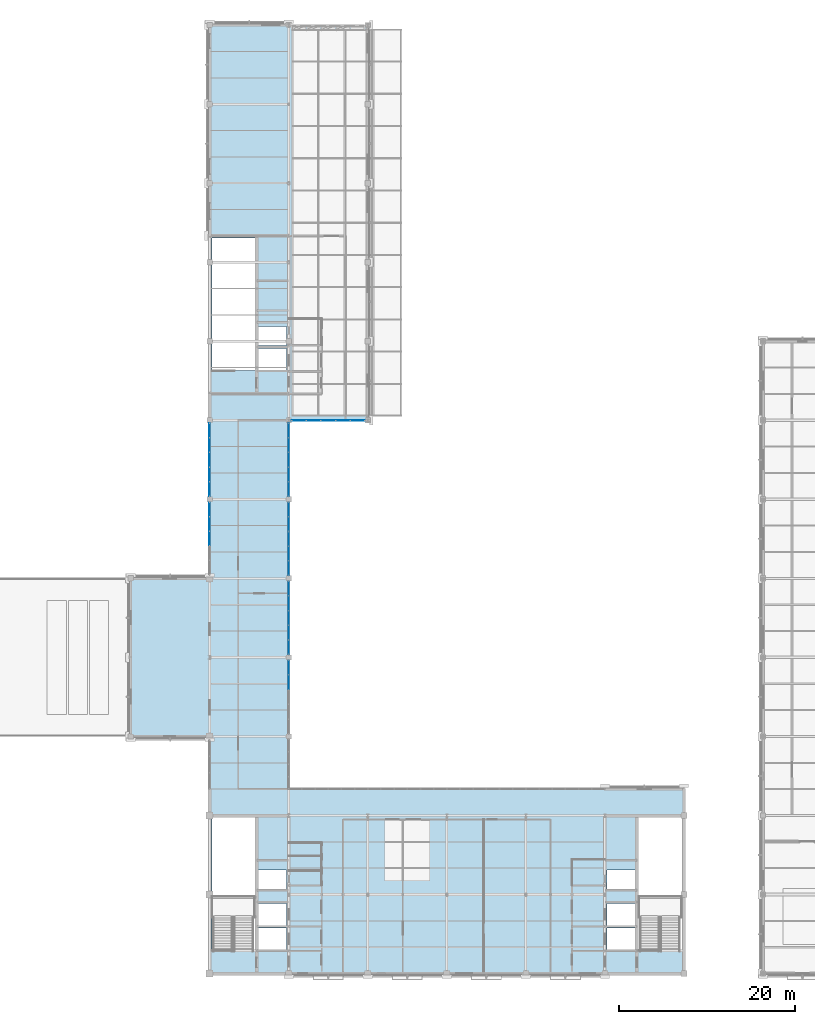
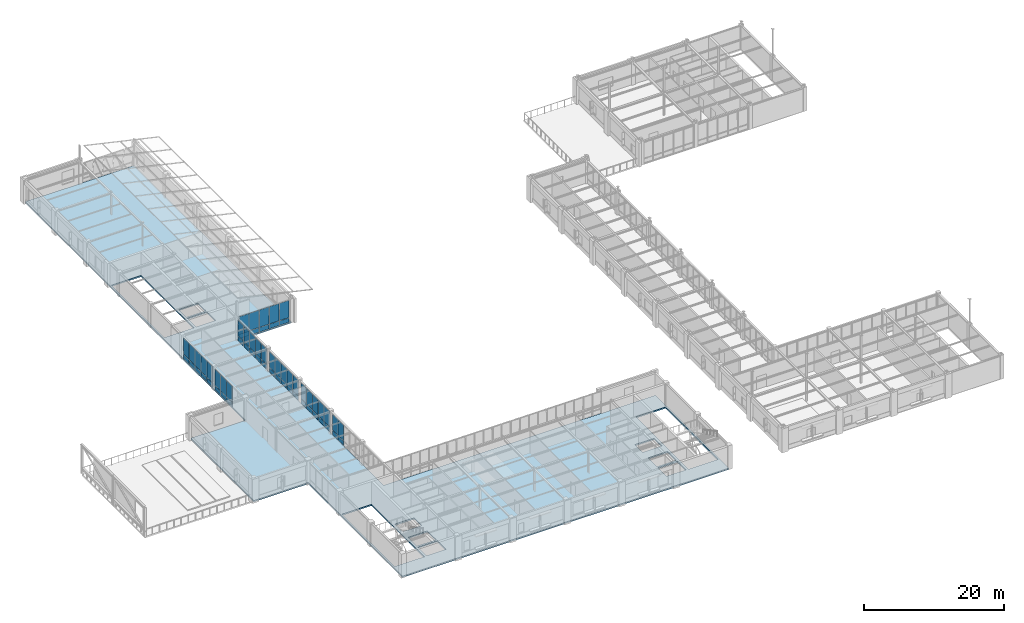
# One storey, part 73 of 97: 60 plates, 1 slab, 8 openings, 7 elements without a shape of their own.
"""IFC4 building model written with IfcOpenShell, lengths in metres."""

from ifc_helpers import new_model, si_unit, direction, frame, origin, origin_2d, place, context, subcontext, project, spatial, polyline, rectangle, outline, extrude, material, layer, layer_set, type_object, element, aggregate, save


model = new_model("IFC4")

# Units and contexts
model_context = context("Model", 3, precision=1e-05, world=origin(), true_north=direction((0.0, 1.0)))
body_context = subcontext(model_context, "Body", "Model", "MODEL_VIEW")
ifc_project = project(units=[si_unit("LENGTHUNIT", "METRE"), si_unit("AREAUNIT", "SQUARE_METRE"), si_unit("VOLUMEUNIT", "CUBIC_METRE"), si_unit("PLANEANGLEUNIT", "RADIAN"), si_unit("MASSUNIT", "GRAM", prefix="KILO")], contexts=[model_context])

# Site, building, storey
site_placement = place(None, origin())
site = spatial("IfcSite", under=ifc_project, at=site_placement, CompositionType="ELEMENT")
building_placement = place(site_placement, origin())
building = spatial("IfcBuilding", under=site, at=building_placement, Name="Lykobir Media Centre", CompositionType="ELEMENT")
storey_placement = place(building_placement, frame((0.0, 0.0, 23.39990234375)))
storey = spatial("IfcBuildingStorey", under=building, at=storey_placement, Name="L05", CompositionType="ELEMENT", Elevation=23.39990234375)

# Curtain wall, plates
ifc_material_1 = material(Name="Anodized Aluminium AW-6060", Category="aluminium")
curtain_wall_type = type_object("IfcCurtainWallType", Name="CW-COURT-B", PredefinedType="NOTDEFINED", material=ifc_material_1)
curtain_wall_1_placement = place(storey_placement, origin())
curtain_wall_1 = element("IfcCurtainWall", 1, at=curtain_wall_1_placement, inside=storey, type_object=curtain_wall_type, Name="Curtain wall CW2-L05-0195", PredefinedType="NOTDEFINED")
ifc_material_2 = material(Name="Low-E Laminated Triple Glazing", Category="glass")
ifc_layer_1 = layer(ifc_material_2, 0.0380859375, Name="Low-E Laminated Triple Glazing")
ifc_layer_set_1 = layer_set([ifc_layer_1], Name="Low-E Laminated Triple Glazing")
plate_type_1 = type_object("IfcPlateType", Name="CWP-GLZ-38", PredefinedType="CURTAIN_PANEL", material=ifc_layer_set_1)
plate_1_placement = place(storey_placement, frame((36.0, 34.84228515625, 0.877685546875), z_axis=(0.0, 0.0, 1.0), x_axis=(0.0, -1.0, 0.0)))
plate_1 = element("IfcPlate", 2, at=plate_1_placement, type_object=plate_type_1, Name="CW2-L05-0195 panel 1.2", PredefinedType="CURTAIN_PANEL", context=body_context, shape_type="SweptSolid", body=[
    extrude(rectangle(XDim=1.595458984375, YDim=0.0380859375, at=origin_2d()), origin(), (0.0, 0.0, 1.0), 2.742431640625),
])
plate_2_placement = place(storey_placement, frame((36.0, 33.177978515625, 0.877685546875), z_axis=(0.0, 0.0, 1.0), x_axis=(0.0, -1.0, 0.0)))
plate_2 = element("IfcPlate", 3, at=plate_2_placement, type_object=plate_type_1, Name="CW2-L05-0195 panel 2.2", PredefinedType="CURTAIN_PANEL", context=body_context, shape_type="SweptSolid", body=[
    extrude(rectangle(XDim=1.623046875, YDim=0.0380859375, at=origin_2d()), origin(), (0.0, 0.0, 1.0), 2.742431640625),
])

curtain_wall_2_placement = place(storey_placement, origin())
curtain_wall_2 = element("IfcCurtainWall", 4, at=curtain_wall_2_placement, inside=storey, type_object=curtain_wall_type, Name="Curtain wall CW2-L05-0196", PredefinedType="NOTDEFINED")
plate_3_placement = place(storey_placement, frame((36.0, 43.84228515625, 0.877685546875), z_axis=(0.0, 0.0, 1.0), x_axis=(0.0, -1.0, 0.0)))
plate_3 = element("IfcPlate", 5, at=plate_3_placement, type_object=plate_type_1, Name="CW2-L05-0196 panel 1.2", PredefinedType="CURTAIN_PANEL", context=body_context, shape_type="SweptSolid", body=[
    extrude(rectangle(XDim=1.595458984375, YDim=0.0380859375, at=origin_2d()), origin(), (0.0, 0.0, 1.0), 2.742431640625),
])
plate_4_placement = place(storey_placement, frame((36.0, 42.177978515625, 0.877685546875), z_axis=(0.0, 0.0, 1.0), x_axis=(0.0, -1.0, 0.0)))
plate_4 = element("IfcPlate", 6, at=plate_4_placement, type_object=plate_type_1, Name="CW2-L05-0196 panel 2.2", PredefinedType="CURTAIN_PANEL", context=body_context, shape_type="SweptSolid", body=[
    extrude(rectangle(XDim=1.623046875, YDim=0.0380859375, at=origin_2d()), origin(), (0.0, 0.0, 1.0), 2.742431640625),
])
plate_5_placement = place(storey_placement, frame((36.0, 40.5, 0.877685546875), z_axis=(0.0, 0.0, 1.0), x_axis=(0.0, -1.0, 0.0)))
plate_5 = element("IfcPlate", 7, at=plate_5_placement, type_object=plate_type_1, Name="CW2-L05-0196 panel 3.2", PredefinedType="CURTAIN_PANEL", context=body_context, shape_type="SweptSolid", body=[
    extrude(rectangle(XDim=1.623046875, YDim=0.0380859375, at=origin_2d()), origin(), (0.0, 0.0, 1.0), 2.742431640625),
])
plate_6_placement = place(storey_placement, frame((36.0, 38.822021484375, 0.877685546875), z_axis=(0.0, 0.0, 1.0), x_axis=(0.0, -1.0, 0.0)))
plate_6 = element("IfcPlate", 8, at=plate_6_placement, type_object=plate_type_1, Name="CW2-L05-0196 panel 4.2", PredefinedType="CURTAIN_PANEL", context=body_context, shape_type="SweptSolid", body=[
    extrude(rectangle(XDim=1.623046875, YDim=0.0380859375, at=origin_2d()), origin(), (0.0, 0.0, 1.0), 2.742431640625),
])
plate_7_placement = place(storey_placement, frame((36.0, 37.15771484375, 0.877685546875), z_axis=(0.0, 0.0, 1.0), x_axis=(0.0, -1.0, 0.0)))
plate_7 = element("IfcPlate", 9, at=plate_7_placement, type_object=plate_type_1, Name="CW2-L05-0196 panel 5.2", PredefinedType="CURTAIN_PANEL", context=body_context, shape_type="SweptSolid", body=[
    extrude(rectangle(XDim=1.595458984375, YDim=0.0380859375, at=origin_2d()), origin(), (0.0, 0.0, 1.0), 2.742431640625),
])

curtain_wall_3_placement = place(storey_placement, origin())
curtain_wall_3 = element("IfcCurtainWall", 10, at=curtain_wall_3_placement, inside=storey, type_object=curtain_wall_type, Name="Curtain wall CW2-L05-0197", PredefinedType="NOTDEFINED")
plate_8_placement = place(storey_placement, frame((36.0, 52.84228515625, 0.877685546875), z_axis=(0.0, 0.0, 1.0), x_axis=(0.0, -1.0, 0.0)))
plate_8 = element("IfcPlate", 11, at=plate_8_placement, type_object=plate_type_1, Name="CW2-L05-0197 panel 1.2", PredefinedType="CURTAIN_PANEL", context=body_context, shape_type="SweptSolid", body=[
    extrude(rectangle(XDim=1.595458984375, YDim=0.0380859375, at=origin_2d()), origin(), (0.0, 0.0, 1.0), 2.740478515625),
])
plate_9_placement = place(storey_placement, frame((36.0, 51.177978515625, 0.877685546875), z_axis=(0.0, 0.0, 1.0), x_axis=(0.0, -1.0, 0.0)))
plate_9 = element("IfcPlate", 12, at=plate_9_placement, type_object=plate_type_1, Name="CW2-L05-0197 panel 2.2", PredefinedType="CURTAIN_PANEL", context=body_context, shape_type="SweptSolid", body=[
    extrude(rectangle(XDim=1.623046875, YDim=0.0380859375, at=origin_2d()), origin(), (0.0, 0.0, 1.0), 2.740478515625),
])
plate_10_placement = place(storey_placement, frame((36.0, 49.5, 0.877685546875), z_axis=(0.0, 0.0, 1.0), x_axis=(0.0, -1.0, 0.0)))
plate_10 = element("IfcPlate", 13, at=plate_10_placement, type_object=plate_type_1, Name="CW2-L05-0197 panel 3.2", PredefinedType="CURTAIN_PANEL", context=body_context, shape_type="SweptSolid", body=[
    extrude(rectangle(XDim=1.623046875, YDim=0.0380859375, at=origin_2d()), origin(), (0.0, 0.0, 1.0), 2.740478515625),
])
plate_11_placement = place(storey_placement, frame((36.0, 47.822021484375, 0.877685546875), z_axis=(0.0, 0.0, 1.0), x_axis=(0.0, -1.0, 0.0)))
plate_11 = element("IfcPlate", 14, at=plate_11_placement, type_object=plate_type_1, Name="CW2-L05-0197 panel 4.2", PredefinedType="CURTAIN_PANEL", context=body_context, shape_type="SweptSolid", body=[
    extrude(rectangle(XDim=1.623046875, YDim=0.0380859375, at=origin_2d()), origin(), (0.0, 0.0, 1.0), 2.740478515625),
])
plate_12_placement = place(storey_placement, frame((36.0, 46.15771484375, 0.877685546875), z_axis=(0.0, 0.0, 1.0), x_axis=(0.0, -1.0, 0.0)))
plate_12 = element("IfcPlate", 15, at=plate_12_placement, type_object=plate_type_1, Name="CW2-L05-0197 panel 5.2", PredefinedType="CURTAIN_PANEL", context=body_context, shape_type="SweptSolid", body=[
    extrude(rectangle(XDim=1.595458984375, YDim=0.0380859375, at=origin_2d()), origin(), (0.0, 0.0, 1.0), 2.740478515625),
])

curtain_wall_4_placement = place(storey_placement, origin())
curtain_wall_4 = element("IfcCurtainWall", 16, at=curtain_wall_4_placement, inside=storey, type_object=curtain_wall_type, Name="Curtain wall CW2-L05-0198", PredefinedType="NOTDEFINED")
plate_13_placement = place(storey_placement, frame((36.0, 61.84228515625, 0.877685546875), z_axis=(0.0, 0.0, 1.0), x_axis=(0.0, -1.0, 0.0)))
plate_13 = element("IfcPlate", 17, at=plate_13_placement, type_object=plate_type_1, Name="CW2-L05-0198 panel 1.2", PredefinedType="CURTAIN_PANEL", context=body_context, shape_type="SweptSolid", body=[
    extrude(rectangle(XDim=1.595458984375, YDim=0.0380859375, at=origin_2d()), origin(), (0.0, 0.0, 1.0), 2.740478515625),
])
plate_14_placement = place(storey_placement, frame((36.0, 60.177978515625, 0.877685546875), z_axis=(0.0, 0.0, 1.0), x_axis=(0.0, -1.0, 0.0)))
plate_14 = element("IfcPlate", 18, at=plate_14_placement, type_object=plate_type_1, Name="CW2-L05-0198 panel 2.2", PredefinedType="CURTAIN_PANEL", context=body_context, shape_type="SweptSolid", body=[
    extrude(rectangle(XDim=1.623046875, YDim=0.0380859375, at=origin_2d()), origin(), (0.0, 0.0, 1.0), 2.740478515625),
])
plate_15_placement = place(storey_placement, frame((36.0, 58.5, 0.877685546875), z_axis=(0.0, 0.0, 1.0), x_axis=(0.0, -1.0, 0.0)))
plate_15 = element("IfcPlate", 19, at=plate_15_placement, type_object=plate_type_1, Name="CW2-L05-0198 panel 3.2", PredefinedType="CURTAIN_PANEL", context=body_context, shape_type="SweptSolid", body=[
    extrude(rectangle(XDim=1.623046875, YDim=0.0380859375, at=origin_2d()), origin(), (0.0, 0.0, 1.0), 2.740478515625),
])
plate_16_placement = place(storey_placement, frame((36.0, 56.822021484375, 0.877685546875), z_axis=(0.0, 0.0, 1.0), x_axis=(0.0, -1.0, 0.0)))
plate_16 = element("IfcPlate", 20, at=plate_16_placement, type_object=plate_type_1, Name="CW2-L05-0198 panel 4.2", PredefinedType="CURTAIN_PANEL", context=body_context, shape_type="SweptSolid", body=[
    extrude(rectangle(XDim=1.623046875, YDim=0.0380859375, at=origin_2d()), origin(), (0.0, 0.0, 1.0), 2.740478515625),
])
plate_17_placement = place(storey_placement, frame((36.0, 55.15771484375, 0.877685546875), z_axis=(0.0, 0.0, 1.0), x_axis=(0.0, -1.0, 0.0)))
plate_17 = element("IfcPlate", 21, at=plate_17_placement, type_object=plate_type_1, Name="CW2-L05-0198 panel 5.2", PredefinedType="CURTAIN_PANEL", context=body_context, shape_type="SweptSolid", body=[
    extrude(rectangle(XDim=1.595458984375, YDim=0.0380859375, at=origin_2d()), origin(), (0.0, 0.0, 1.0), 2.740478515625),
])

curtain_wall_5_placement = place(storey_placement, origin())
curtain_wall_5 = element("IfcCurtainWall", 22, at=curtain_wall_5_placement, inside=storey, type_object=curtain_wall_type, Name="Curtain wall CW2-L05-0199", PredefinedType="NOTDEFINED")
plate_18_placement = place(storey_placement, frame((43.84228515625, 63.0, 0.877685546875), z_axis=(0.0, 0.0, 1.0), x_axis=(-1.0, 0.0, 0.0)))
plate_18 = element("IfcPlate", 23, at=plate_18_placement, type_object=plate_type_1, Name="CW2-L05-0199 panel 1.2", PredefinedType="CURTAIN_PANEL", context=body_context, shape_type="SweptSolid", body=[
    extrude(rectangle(XDim=1.595458984375, YDim=0.0380859375, at=origin_2d()), origin(), (0.0, 0.0, 1.0), 3.007568359375),
])
plate_19_placement = place(storey_placement, frame((42.177978515625, 63.0, 0.877685546875), z_axis=(0.0, 0.0, 1.0), x_axis=(-1.0, 0.0, 0.0)))
plate_19 = element("IfcPlate", 24, at=plate_19_placement, type_object=plate_type_1, Name="CW2-L05-0199 panel 2.2", PredefinedType="CURTAIN_PANEL", context=body_context, shape_type="SweptSolid", body=[
    extrude(rectangle(XDim=1.623046875, YDim=0.0380859375, at=origin_2d()), origin(), (0.0, 0.0, 1.0), 3.007568359375),
])
plate_20_placement = place(storey_placement, frame((40.5, 63.0, 0.877685546875), z_axis=(0.0, 0.0, 1.0), x_axis=(-1.0, 0.0, 0.0)))
plate_20 = element("IfcPlate", 25, at=plate_20_placement, type_object=plate_type_1, Name="CW2-L05-0199 panel 3.2", PredefinedType="CURTAIN_PANEL", context=body_context, shape_type="SweptSolid", body=[
    extrude(rectangle(XDim=1.623046875, YDim=0.0380859375, at=origin_2d()), origin(), (0.0, 0.0, 1.0), 3.007568359375),
])
plate_21_placement = place(storey_placement, frame((38.822021484375, 63.0, 0.877685546875), z_axis=(0.0, 0.0, 1.0), x_axis=(-1.0, 0.0, 0.0)))
plate_21 = element("IfcPlate", 26, at=plate_21_placement, type_object=plate_type_1, Name="CW2-L05-0199 panel 4.2", PredefinedType="CURTAIN_PANEL", context=body_context, shape_type="SweptSolid", body=[
    extrude(rectangle(XDim=1.623046875, YDim=0.0380859375, at=origin_2d()), origin(), (0.0, 0.0, 1.0), 3.007568359375),
])
plate_22_placement = place(storey_placement, frame((37.15771484375, 63.0, 0.877685546875), z_axis=(0.0, 0.0, 1.0), x_axis=(-1.0, 0.0, 0.0)))
plate_22 = element("IfcPlate", 27, at=plate_22_placement, type_object=plate_type_1, Name="CW2-L05-0199 panel 5.2", PredefinedType="CURTAIN_PANEL", context=body_context, shape_type="SweptSolid", body=[
    extrude(rectangle(XDim=1.595458984375, YDim=0.0380859375, at=origin_2d()), origin(), (0.0, 0.0, 1.0), 3.007568359375),
])

curtain_wall_6_placement = place(storey_placement, origin())
curtain_wall_6 = element("IfcCurtainWall", 28, at=curtain_wall_6_placement, inside=storey, type_object=curtain_wall_type, Name="Curtain wall CW2-L05-0201", PredefinedType="NOTDEFINED")
plate_23_placement = place(storey_placement, frame((27.0, 49.550048828125, 0.877685546875), z_axis=(0.0, 0.0, 1.0), x_axis=(0.0, 1.0, 0.0)))
plate_23 = element("IfcPlate", 29, at=plate_23_placement, type_object=plate_type_1, Name="CW2-L05-0201 panel 3.2", PredefinedType="CURTAIN_PANEL", context=body_context, shape_type="SweptSolid", body=[
    extrude(rectangle(XDim=1.60302734375, YDim=0.0380859375, at=origin_2d()), origin(), (0.0, 0.0, 1.0), 2.780517578125),
])
plate_24_placement = place(storey_placement, frame((27.0, 51.2080078125, 0.877685546875), z_axis=(0.0, 0.0, 1.0), x_axis=(0.0, 1.0, 0.0)))
plate_24 = element("IfcPlate", 30, at=plate_24_placement, type_object=plate_type_1, Name="CW2-L05-0201 panel 4.2", PredefinedType="CURTAIN_PANEL", context=body_context, shape_type="SweptSolid", body=[
    extrude(rectangle(XDim=1.60302734375, YDim=0.0380859375, at=origin_2d()), origin(), (0.0, 0.0, 1.0), 2.780517578125),
])
plate_25_placement = place(storey_placement, frame((27.0, 52.852294921875, 0.877685546875), z_axis=(0.0, 0.0, 1.0), x_axis=(0.0, 1.0, 0.0)))
plate_25 = element("IfcPlate", 31, at=plate_25_placement, type_object=plate_type_1, Name="CW2-L05-0201 panel 5.2", PredefinedType="CURTAIN_PANEL", context=body_context, shape_type="SweptSolid", body=[
    extrude(rectangle(XDim=1.575439453125, YDim=0.0380859375, at=origin_2d()), origin(), (0.0, 0.0, 1.0), 2.780517578125),
])

curtain_wall_7_placement = place(storey_placement, origin())
curtain_wall_7 = element("IfcCurtainWall", 32, at=curtain_wall_7_placement, inside=storey, type_object=curtain_wall_type, Name="Curtain wall CW2-L05-0202", PredefinedType="NOTDEFINED")
plate_26_placement = place(storey_placement, frame((27.0, 55.15771484375, 0.877685546875), z_axis=(0.0, 0.0, 1.0), x_axis=(0.0, 1.0, 0.0)))
plate_26 = element("IfcPlate", 33, at=plate_26_placement, type_object=plate_type_1, Name="CW2-L05-0202 panel 1.2", PredefinedType="CURTAIN_PANEL", context=body_context, shape_type="SweptSolid", body=[
    extrude(rectangle(XDim=1.595458984375, YDim=0.0380859375, at=origin_2d()), origin(), (0.0, 0.0, 1.0), 2.780517578125),
])
plate_27_placement = place(storey_placement, frame((27.0, 56.822021484375, 0.877685546875), z_axis=(0.0, 0.0, 1.0), x_axis=(0.0, 1.0, 0.0)))
plate_27 = element("IfcPlate", 34, at=plate_27_placement, type_object=plate_type_1, Name="CW2-L05-0202 panel 2.2", PredefinedType="CURTAIN_PANEL", context=body_context, shape_type="SweptSolid", body=[
    extrude(rectangle(XDim=1.623046875, YDim=0.0380859375, at=origin_2d()), origin(), (0.0, 0.0, 1.0), 2.780517578125),
])
plate_28_placement = place(storey_placement, frame((27.0, 58.5, 0.877685546875), z_axis=(0.0, 0.0, 1.0), x_axis=(0.0, 1.0, 0.0)))
plate_28 = element("IfcPlate", 35, at=plate_28_placement, type_object=plate_type_1, Name="CW2-L05-0202 panel 3.2", PredefinedType="CURTAIN_PANEL", context=body_context, shape_type="SweptSolid", body=[
    extrude(rectangle(XDim=1.623046875, YDim=0.0380859375, at=origin_2d()), origin(), (0.0, 0.0, 1.0), 2.780517578125),
])
plate_29_placement = place(storey_placement, frame((27.0, 60.177978515625, 0.877685546875), z_axis=(0.0, 0.0, 1.0), x_axis=(0.0, 1.0, 0.0)))
plate_29 = element("IfcPlate", 36, at=plate_29_placement, type_object=plate_type_1, Name="CW2-L05-0202 panel 4.2", PredefinedType="CURTAIN_PANEL", context=body_context, shape_type="SweptSolid", body=[
    extrude(rectangle(XDim=1.623046875, YDim=0.0380859375, at=origin_2d()), origin(), (0.0, 0.0, 1.0), 2.780517578125),
])
plate_30_placement = place(storey_placement, frame((27.0, 61.84228515625, 0.877685546875), z_axis=(0.0, 0.0, 1.0), x_axis=(0.0, 1.0, 0.0)))
plate_30 = element("IfcPlate", 37, at=plate_30_placement, type_object=plate_type_1, Name="CW2-L05-0202 panel 5.2", PredefinedType="CURTAIN_PANEL", context=body_context, shape_type="SweptSolid", body=[
    extrude(rectangle(XDim=1.595458984375, YDim=0.0380859375, at=origin_2d()), origin(), (0.0, 0.0, 1.0), 2.780517578125),
])

# Plate
ifc_material_3 = material(Name="Pre-Weathered Titanium-Zinc", Category="metal")
ifc_layer_2 = layer(ifc_material_3, 0.052001953125, Name="Pre-Weathered Titanium-Zinc")
ifc_layer_set_2 = layer_set([ifc_layer_2], Name="Pre-Weathered Titanium-Zinc")
plate_type_2 = type_object("IfcPlateType", Name="CWP-SPN-52", PredefinedType="CURTAIN_PANEL", material=ifc_layer_set_2)
plate_31_placement = place(storey_placement, frame((36.0, 34.84228515625, 0.05517578125), z_axis=(0.0, 0.0, 1.0), x_axis=(0.0, -1.0, 0.0)))
plate_31 = element("IfcPlate", 38, at=plate_31_placement, type_object=plate_type_2, Name="CW2-L05-0195 panel 1.1", PredefinedType="CURTAIN_PANEL", context=body_context, shape_type="SweptSolid", body=[
    extrude(rectangle(XDim=1.595458984375, YDim=0.052001953125, at=origin_2d()), origin(), (0.0, 0.0, 1.0), 0.767578125),
])

plate_32_placement = place(storey_placement, frame((36.0, 33.177978515625, 0.05517578125), z_axis=(0.0, 0.0, 1.0), x_axis=(0.0, -1.0, 0.0)))
plate_32 = element("IfcPlate", 39, at=plate_32_placement, type_object=plate_type_2, Name="CW2-L05-0195 panel 2.1", PredefinedType="CURTAIN_PANEL", context=body_context, shape_type="SweptSolid", body=[
    extrude(rectangle(XDim=1.623046875, YDim=0.052001953125, at=origin_2d()), origin(), (0.0, 0.0, 1.0), 0.767578125),
])

aggregate(curtain_wall_1, [plate_31, plate_1, plate_32, plate_2])

plate_33_placement = place(storey_placement, frame((36.0, 43.84228515625, 0.05517578125), z_axis=(0.0, 0.0, 1.0), x_axis=(0.0, -1.0, 0.0)))
plate_33 = element("IfcPlate", 40, at=plate_33_placement, type_object=plate_type_2, Name="CW2-L05-0196 panel 1.1", PredefinedType="CURTAIN_PANEL", context=body_context, shape_type="SweptSolid", body=[
    extrude(rectangle(XDim=1.595458984375, YDim=0.052001953125, at=origin_2d()), origin(), (0.0, 0.0, 1.0), 0.767578125),
])

plate_34_placement = place(storey_placement, frame((36.0, 42.177978515625, 0.05517578125), z_axis=(0.0, 0.0, 1.0), x_axis=(0.0, -1.0, 0.0)))
plate_34 = element("IfcPlate", 41, at=plate_34_placement, type_object=plate_type_2, Name="CW2-L05-0196 panel 2.1", PredefinedType="CURTAIN_PANEL", context=body_context, shape_type="SweptSolid", body=[
    extrude(rectangle(XDim=1.623046875, YDim=0.052001953125, at=origin_2d()), origin(), (0.0, 0.0, 1.0), 0.767578125),
])

plate_35_placement = place(storey_placement, frame((36.0, 40.5, 0.05517578125), z_axis=(0.0, 0.0, 1.0), x_axis=(0.0, -1.0, 0.0)))
plate_35 = element("IfcPlate", 42, at=plate_35_placement, type_object=plate_type_2, Name="CW2-L05-0196 panel 3.1", PredefinedType="CURTAIN_PANEL", context=body_context, shape_type="SweptSolid", body=[
    extrude(rectangle(XDim=1.623046875, YDim=0.052001953125, at=origin_2d()), origin(), (0.0, 0.0, 1.0), 0.767578125),
])

plate_36_placement = place(storey_placement, frame((36.0, 38.822021484375, 0.05517578125), z_axis=(0.0, 0.0, 1.0), x_axis=(0.0, -1.0, 0.0)))
plate_36 = element("IfcPlate", 43, at=plate_36_placement, type_object=plate_type_2, Name="CW2-L05-0196 panel 4.1", PredefinedType="CURTAIN_PANEL", context=body_context, shape_type="SweptSolid", body=[
    extrude(rectangle(XDim=1.623046875, YDim=0.052001953125, at=origin_2d()), origin(), (0.0, 0.0, 1.0), 0.767578125),
])

plate_37_placement = place(storey_placement, frame((36.0, 37.15771484375, 0.05517578125), z_axis=(0.0, 0.0, 1.0), x_axis=(0.0, -1.0, 0.0)))
plate_37 = element("IfcPlate", 44, at=plate_37_placement, type_object=plate_type_2, Name="CW2-L05-0196 panel 5.1", PredefinedType="CURTAIN_PANEL", context=body_context, shape_type="SweptSolid", body=[
    extrude(rectangle(XDim=1.595458984375, YDim=0.052001953125, at=origin_2d()), origin(), (0.0, 0.0, 1.0), 0.767578125),
])

aggregate(curtain_wall_2, [plate_33, plate_3, plate_34, plate_4, plate_35, plate_5, plate_36, plate_6, plate_37, plate_7])

plate_38_placement = place(storey_placement, frame((36.0, 52.84228515625, 0.05517578125), z_axis=(0.0, 0.0, 1.0), x_axis=(0.0, -1.0, 0.0)))
plate_38 = element("IfcPlate", 45, at=plate_38_placement, type_object=plate_type_2, Name="CW2-L05-0197 panel 1.1", PredefinedType="CURTAIN_PANEL", context=body_context, shape_type="SweptSolid", body=[
    extrude(rectangle(XDim=1.595458984375, YDim=0.052001953125, at=origin_2d()), origin(), (0.0, 0.0, 1.0), 0.767578125),
])

plate_39_placement = place(storey_placement, frame((36.0, 51.177978515625, 0.05517578125), z_axis=(0.0, 0.0, 1.0), x_axis=(0.0, -1.0, 0.0)))
plate_39 = element("IfcPlate", 46, at=plate_39_placement, type_object=plate_type_2, Name="CW2-L05-0197 panel 2.1", PredefinedType="CURTAIN_PANEL", context=body_context, shape_type="SweptSolid", body=[
    extrude(rectangle(XDim=1.623046875, YDim=0.052001953125, at=origin_2d()), origin(), (0.0, 0.0, 1.0), 0.767578125),
])

plate_40_placement = place(storey_placement, frame((36.0, 49.5, 0.05517578125), z_axis=(0.0, 0.0, 1.0), x_axis=(0.0, -1.0, 0.0)))
plate_40 = element("IfcPlate", 47, at=plate_40_placement, type_object=plate_type_2, Name="CW2-L05-0197 panel 3.1", PredefinedType="CURTAIN_PANEL", context=body_context, shape_type="SweptSolid", body=[
    extrude(rectangle(XDim=1.623046875, YDim=0.052001953125, at=origin_2d()), origin(), (0.0, 0.0, 1.0), 0.767578125),
])

plate_41_placement = place(storey_placement, frame((36.0, 47.822021484375, 0.05517578125), z_axis=(0.0, 0.0, 1.0), x_axis=(0.0, -1.0, 0.0)))
plate_41 = element("IfcPlate", 48, at=plate_41_placement, type_object=plate_type_2, Name="CW2-L05-0197 panel 4.1", PredefinedType="CURTAIN_PANEL", context=body_context, shape_type="SweptSolid", body=[
    extrude(rectangle(XDim=1.623046875, YDim=0.052001953125, at=origin_2d()), origin(), (0.0, 0.0, 1.0), 0.767578125),
])

plate_42_placement = place(storey_placement, frame((36.0, 46.15771484375, 0.05517578125), z_axis=(0.0, 0.0, 1.0), x_axis=(0.0, -1.0, 0.0)))
plate_42 = element("IfcPlate", 49, at=plate_42_placement, type_object=plate_type_2, Name="CW2-L05-0197 panel 5.1", PredefinedType="CURTAIN_PANEL", context=body_context, shape_type="SweptSolid", body=[
    extrude(rectangle(XDim=1.595458984375, YDim=0.052001953125, at=origin_2d()), origin(), (0.0, 0.0, 1.0), 0.767578125),
])

aggregate(curtain_wall_3, [plate_38, plate_8, plate_39, plate_9, plate_40, plate_10, plate_41, plate_11, plate_42, plate_12])

plate_43_placement = place(storey_placement, frame((36.0, 61.84228515625, 0.05517578125), z_axis=(0.0, 0.0, 1.0), x_axis=(0.0, -1.0, 0.0)))
plate_43 = element("IfcPlate", 50, at=plate_43_placement, type_object=plate_type_2, Name="CW2-L05-0198 panel 1.1", PredefinedType="CURTAIN_PANEL", context=body_context, shape_type="SweptSolid", body=[
    extrude(rectangle(XDim=1.595458984375, YDim=0.052001953125, at=origin_2d()), origin(), (0.0, 0.0, 1.0), 0.767578125),
])

plate_44_placement = place(storey_placement, frame((36.0, 60.177978515625, 0.05517578125), z_axis=(0.0, 0.0, 1.0), x_axis=(0.0, -1.0, 0.0)))
plate_44 = element("IfcPlate", 51, at=plate_44_placement, type_object=plate_type_2, Name="CW2-L05-0198 panel 2.1", PredefinedType="CURTAIN_PANEL", context=body_context, shape_type="SweptSolid", body=[
    extrude(rectangle(XDim=1.623046875, YDim=0.052001953125, at=origin_2d()), origin(), (0.0, 0.0, 1.0), 0.767578125),
])

plate_45_placement = place(storey_placement, frame((36.0, 58.5, 0.05517578125), z_axis=(0.0, 0.0, 1.0), x_axis=(0.0, -1.0, 0.0)))
plate_45 = element("IfcPlate", 52, at=plate_45_placement, type_object=plate_type_2, Name="CW2-L05-0198 panel 3.1", PredefinedType="CURTAIN_PANEL", context=body_context, shape_type="SweptSolid", body=[
    extrude(rectangle(XDim=1.623046875, YDim=0.052001953125, at=origin_2d()), origin(), (0.0, 0.0, 1.0), 0.767578125),
])

plate_46_placement = place(storey_placement, frame((36.0, 56.822021484375, 0.05517578125), z_axis=(0.0, 0.0, 1.0), x_axis=(0.0, -1.0, 0.0)))
plate_46 = element("IfcPlate", 53, at=plate_46_placement, type_object=plate_type_2, Name="CW2-L05-0198 panel 4.1", PredefinedType="CURTAIN_PANEL", context=body_context, shape_type="SweptSolid", body=[
    extrude(rectangle(XDim=1.623046875, YDim=0.052001953125, at=origin_2d()), origin(), (0.0, 0.0, 1.0), 0.767578125),
])

plate_47_placement = place(storey_placement, frame((36.0, 55.15771484375, 0.05517578125), z_axis=(0.0, 0.0, 1.0), x_axis=(0.0, -1.0, 0.0)))
plate_47 = element("IfcPlate", 54, at=plate_47_placement, type_object=plate_type_2, Name="CW2-L05-0198 panel 5.1", PredefinedType="CURTAIN_PANEL", context=body_context, shape_type="SweptSolid", body=[
    extrude(rectangle(XDim=1.595458984375, YDim=0.052001953125, at=origin_2d()), origin(), (0.0, 0.0, 1.0), 0.767578125),
])

aggregate(curtain_wall_4, [plate_43, plate_13, plate_44, plate_14, plate_45, plate_15, plate_46, plate_16, plate_47, plate_17])

plate_48_placement = place(storey_placement, frame((43.84228515625, 63.0, 0.05517578125), z_axis=(0.0, 0.0, 1.0), x_axis=(-1.0, 0.0, 0.0)))
plate_48 = element("IfcPlate", 55, at=plate_48_placement, type_object=plate_type_2, Name="CW2-L05-0199 panel 1.1", PredefinedType="CURTAIN_PANEL", context=body_context, shape_type="SweptSolid", body=[
    extrude(rectangle(XDim=1.595458984375, YDim=0.052001953125, at=origin_2d()), origin(), (0.0, 0.0, 1.0), 0.767578125),
])

plate_49_placement = place(storey_placement, frame((42.177978515625, 63.0, 0.05517578125), z_axis=(0.0, 0.0, 1.0), x_axis=(-1.0, 0.0, 0.0)))
plate_49 = element("IfcPlate", 56, at=plate_49_placement, type_object=plate_type_2, Name="CW2-L05-0199 panel 2.1", PredefinedType="CURTAIN_PANEL", context=body_context, shape_type="SweptSolid", body=[
    extrude(rectangle(XDim=1.623046875, YDim=0.052001953125, at=origin_2d()), origin(), (0.0, 0.0, 1.0), 0.767578125),
])

plate_50_placement = place(storey_placement, frame((40.5, 63.0, 0.05517578125), z_axis=(0.0, 0.0, 1.0), x_axis=(-1.0, 0.0, 0.0)))
plate_50 = element("IfcPlate", 57, at=plate_50_placement, type_object=plate_type_2, Name="CW2-L05-0199 panel 3.1", PredefinedType="CURTAIN_PANEL", context=body_context, shape_type="SweptSolid", body=[
    extrude(rectangle(XDim=1.623046875, YDim=0.052001953125, at=origin_2d()), origin(), (0.0, 0.0, 1.0), 0.767578125),
])

plate_51_placement = place(storey_placement, frame((38.822021484375, 63.0, 0.05517578125), z_axis=(0.0, 0.0, 1.0), x_axis=(-1.0, 0.0, 0.0)))
plate_51 = element("IfcPlate", 58, at=plate_51_placement, type_object=plate_type_2, Name="CW2-L05-0199 panel 4.1", PredefinedType="CURTAIN_PANEL", context=body_context, shape_type="SweptSolid", body=[
    extrude(rectangle(XDim=1.623046875, YDim=0.052001953125, at=origin_2d()), origin(), (0.0, 0.0, 1.0), 0.767578125),
])

plate_52_placement = place(storey_placement, frame((37.15771484375, 63.0, 0.05517578125), z_axis=(0.0, 0.0, 1.0), x_axis=(-1.0, 0.0, 0.0)))
plate_52 = element("IfcPlate", 59, at=plate_52_placement, type_object=plate_type_2, Name="CW2-L05-0199 panel 5.1", PredefinedType="CURTAIN_PANEL", context=body_context, shape_type="SweptSolid", body=[
    extrude(rectangle(XDim=1.595458984375, YDim=0.052001953125, at=origin_2d()), origin(), (0.0, 0.0, 1.0), 0.767578125),
])

aggregate(curtain_wall_5, [plate_48, plate_18, plate_49, plate_19, plate_50, plate_20, plate_51, plate_21, plate_52, plate_22])

plate_53_placement = place(storey_placement, frame((27.0, 49.550048828125, 0.05517578125), z_axis=(0.0, 0.0, 1.0), x_axis=(0.0, 1.0, 0.0)))
plate_53 = element("IfcPlate", 60, at=plate_53_placement, type_object=plate_type_2, Name="CW2-L05-0201 panel 3.1", PredefinedType="CURTAIN_PANEL", context=body_context, shape_type="SweptSolid", body=[
    extrude(rectangle(XDim=1.60302734375, YDim=0.052001953125, at=origin_2d()), origin(), (0.0, 0.0, 1.0), 0.767578125),
])

plate_54_placement = place(storey_placement, frame((27.0, 51.2080078125, 0.05517578125), z_axis=(0.0, 0.0, 1.0), x_axis=(0.0, 1.0, 0.0)))
plate_54 = element("IfcPlate", 61, at=plate_54_placement, type_object=plate_type_2, Name="CW2-L05-0201 panel 4.1", PredefinedType="CURTAIN_PANEL", context=body_context, shape_type="SweptSolid", body=[
    extrude(rectangle(XDim=1.60302734375, YDim=0.052001953125, at=origin_2d()), origin(), (0.0, 0.0, 1.0), 0.767578125),
])

plate_55_placement = place(storey_placement, frame((27.0, 52.852294921875, 0.05517578125), z_axis=(0.0, 0.0, 1.0), x_axis=(0.0, 1.0, 0.0)))
plate_55 = element("IfcPlate", 62, at=plate_55_placement, type_object=plate_type_2, Name="CW2-L05-0201 panel 5.1", PredefinedType="CURTAIN_PANEL", context=body_context, shape_type="SweptSolid", body=[
    extrude(rectangle(XDim=1.575439453125, YDim=0.052001953125, at=origin_2d()), origin(), (0.0, 0.0, 1.0), 0.767578125),
])

aggregate(curtain_wall_6, [plate_53, plate_23, plate_54, plate_24, plate_55, plate_25])

plate_56_placement = place(storey_placement, frame((27.0, 55.15771484375, 0.05517578125), z_axis=(0.0, 0.0, 1.0), x_axis=(0.0, 1.0, 0.0)))
plate_56 = element("IfcPlate", 63, at=plate_56_placement, type_object=plate_type_2, Name="CW2-L05-0202 panel 1.1", PredefinedType="CURTAIN_PANEL", context=body_context, shape_type="SweptSolid", body=[
    extrude(rectangle(XDim=1.595458984375, YDim=0.052001953125, at=origin_2d()), origin(), (0.0, 0.0, 1.0), 0.767578125),
])

plate_57_placement = place(storey_placement, frame((27.0, 56.822021484375, 0.05517578125), z_axis=(0.0, 0.0, 1.0), x_axis=(0.0, 1.0, 0.0)))
plate_57 = element("IfcPlate", 64, at=plate_57_placement, type_object=plate_type_2, Name="CW2-L05-0202 panel 2.1", PredefinedType="CURTAIN_PANEL", context=body_context, shape_type="SweptSolid", body=[
    extrude(rectangle(XDim=1.623046875, YDim=0.052001953125, at=origin_2d()), origin(), (0.0, 0.0, 1.0), 0.767578125),
])

plate_58_placement = place(storey_placement, frame((27.0, 58.5, 0.05517578125), z_axis=(0.0, 0.0, 1.0), x_axis=(0.0, 1.0, 0.0)))
plate_58 = element("IfcPlate", 65, at=plate_58_placement, type_object=plate_type_2, Name="CW2-L05-0202 panel 3.1", PredefinedType="CURTAIN_PANEL", context=body_context, shape_type="SweptSolid", body=[
    extrude(rectangle(XDim=1.623046875, YDim=0.052001953125, at=origin_2d()), origin(), (0.0, 0.0, 1.0), 0.767578125),
])

plate_59_placement = place(storey_placement, frame((27.0, 60.177978515625, 0.05517578125), z_axis=(0.0, 0.0, 1.0), x_axis=(0.0, 1.0, 0.0)))
plate_59 = element("IfcPlate", 66, at=plate_59_placement, type_object=plate_type_2, Name="CW2-L05-0202 panel 4.1", PredefinedType="CURTAIN_PANEL", context=body_context, shape_type="SweptSolid", body=[
    extrude(rectangle(XDim=1.623046875, YDim=0.052001953125, at=origin_2d()), origin(), (0.0, 0.0, 1.0), 0.767578125),
])

plate_60_placement = place(storey_placement, frame((27.0, 61.84228515625, 0.05517578125), z_axis=(0.0, 0.0, 1.0), x_axis=(0.0, 1.0, 0.0)))
plate_60 = element("IfcPlate", 67, at=plate_60_placement, type_object=plate_type_2, Name="CW2-L05-0202 panel 5.1", PredefinedType="CURTAIN_PANEL", context=body_context, shape_type="SweptSolid", body=[
    extrude(rectangle(XDim=1.595458984375, YDim=0.052001953125, at=origin_2d()), origin(), (0.0, 0.0, 1.0), 0.767578125),
])

aggregate(curtain_wall_7, [plate_56, plate_26, plate_57, plate_27, plate_58, plate_28, plate_59, plate_29, plate_60, plate_30])

# Slab, openings
ifc_material_4 = material(Name="Concrete C30/37", Category="concrete")
ifc_layer_3 = layer(ifc_material_4, 0.239990234375, Name="Concrete C30/37")
ifc_layer_set_3 = layer_set([ifc_layer_3], Name="Concrete C30/37")
slab_type = type_object("IfcSlabType", Name="FS-240", PredefinedType="FLOOR", material=ifc_layer_set_3)
slab_placement = place(storey_placement, frame((0.0, 0.0, -0.239990234375)))
slab = element("IfcSlab", 68, at=slab_placement, inside=storey, type_object=slab_type, Name="L05 structural slab 1", PredefinedType="FLOOR", context=body_context, shape_type="SweptSolid", body=[
    extrude(outline(polyline([(81.0, 21.0), (36.0, 21.0), (36.0, 63.0), (45.0, 63.0), (45.0, 108.0), (27.0, 108.0), (27.0, 63.0), (27.0, 45.0), (18.0, 45.0), (18.0, 27.0), (27.0, 27.0), (27.0, 21.0), (27.0, 0.0), (81.0, 0.0), (81.0, 21.0)]), holes=[polyline([(32.14990234375, 17.75), (32.14990234375, 2.64990234375), (27.25, 2.64990234375), (27.25, 17.75), (32.14990234375, 17.75)]), polyline([(80.75, 17.75), (80.75, 2.64990234375), (75.85009765625, 2.64990234375), (75.85009765625, 17.75), (80.75, 17.75)]), polyline([(32.14990234375, 68.64990234375), (27.25, 68.64990234375), (27.25, 83.75), (32.14990234375, 83.75), (32.14990234375, 68.64990234375)])]), origin(), (0.0, 0.0, 1.0), 0.239990234375),
])
opening_1_placement = place(slab_placement, frame((34.14990234375, 3.949951171875, 0.0)))
element("IfcOpeningElement", 69, at=opening_1_placement, cuts=slab, Name="Shaft opening C1-pass_shaft-L05", PredefinedType="OPENING", context=body_context, shape_type="SweptSolid", body=[
    extrude(rectangle(XDim=3.199951171875, YDim=2.5, at=origin_2d()), origin(), (0.0, 0.0, 1.0), 0.239990234375),
])
opening_2_placement = place(slab_placement, frame((34.14990234375, 6.75, 0.0)))
element("IfcOpeningElement", 70, at=opening_2_placement, cuts=slab, Name="Shaft opening C1-ff_shaft-L05", PredefinedType="OPENING", context=body_context, shape_type="SweptSolid", body=[
    extrude(rectangle(XDim=3.199951171875, YDim=2.5, at=origin_2d()), origin(), (0.0, 0.0, 1.0), 0.239990234375),
])
opening_3_placement = place(slab_placement, frame((34.14990234375, 10.699951171875, 0.0)))
element("IfcOpeningElement", 71, at=opening_3_placement, cuts=slab, Name="Shaft opening C1-riser_shaft-L05", PredefinedType="OPENING", context=body_context, shape_type="SweptSolid", body=[
    extrude(rectangle(XDim=3.199951171875, YDim=2.199951171875, at=origin_2d()), origin(), (0.0, 0.0, 1.0), 0.239990234375),
])
opening_4_placement = place(slab_placement, frame((73.85009765625, 3.949951171875, 0.0)))
element("IfcOpeningElement", 72, at=opening_4_placement, cuts=slab, Name="Shaft opening C2-pass_shaft-L05", PredefinedType="OPENING", context=body_context, shape_type="SweptSolid", body=[
    extrude(rectangle(XDim=3.199951171875, YDim=2.5, at=origin_2d()), origin(), (0.0, 0.0, 1.0), 0.239990234375),
])
opening_5_placement = place(slab_placement, frame((73.85009765625, 6.75, 0.0)))
element("IfcOpeningElement", 73, at=opening_5_placement, cuts=slab, Name="Shaft opening C2-ff_shaft-L05", PredefinedType="OPENING", context=body_context, shape_type="SweptSolid", body=[
    extrude(rectangle(XDim=3.199951171875, YDim=2.5, at=origin_2d()), origin(), (0.0, 0.0, 1.0), 0.239990234375),
])
opening_6_placement = place(slab_placement, frame((73.85009765625, 10.699951171875, 0.0)))
element("IfcOpeningElement", 74, at=opening_6_placement, cuts=slab, Name="Shaft opening C2-riser_shaft-L05", PredefinedType="OPENING", context=body_context, shape_type="SweptSolid", body=[
    extrude(rectangle(XDim=3.199951171875, YDim=2.199951171875, at=origin_2d()), origin(), (0.0, 0.0, 1.0), 0.239990234375),
])
opening_7_placement = place(slab_placement, frame((34.14990234375, 69.949951171875, 0.0)))
element("IfcOpeningElement", 75, at=opening_7_placement, cuts=slab, Name="Shaft opening C3-pass_shaft-L05", PredefinedType="OPENING", context=body_context, shape_type="SweptSolid", body=[
    extrude(rectangle(XDim=3.199951171875, YDim=2.5, at=origin_2d()), origin(), (0.0, 0.0, 1.0), 0.239990234375),
])
opening_8_placement = place(slab_placement, frame((34.14990234375, 72.60009765625, 0.0)))
element("IfcOpeningElement", 76, at=opening_8_placement, cuts=slab, Name="Shaft opening C3-riser_shaft-L05", PredefinedType="OPENING", context=body_context, shape_type="SweptSolid", body=[
    extrude(rectangle(XDim=3.199951171875, YDim=2.199951171875, at=origin_2d()), origin(), (0.0, 0.0, 1.0), 0.239990234375),
])

save(model, "model.ifc")
